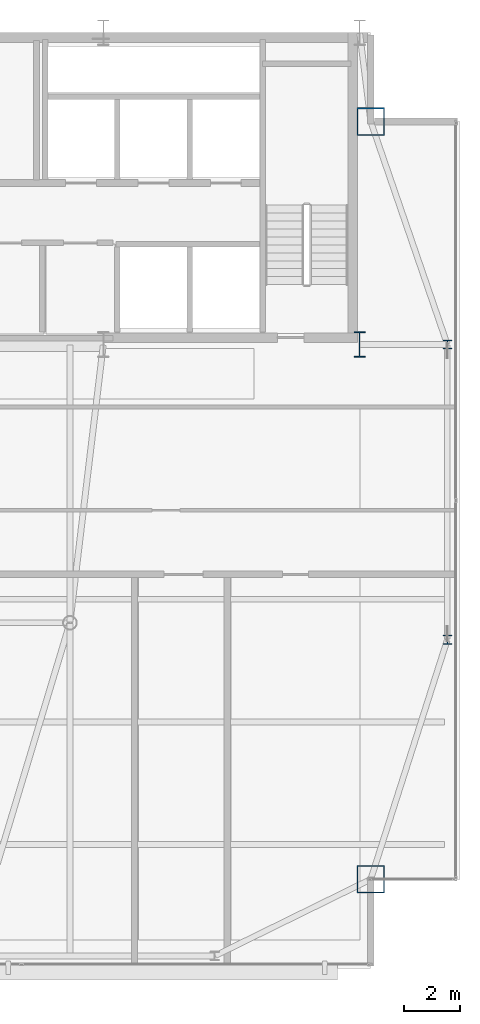
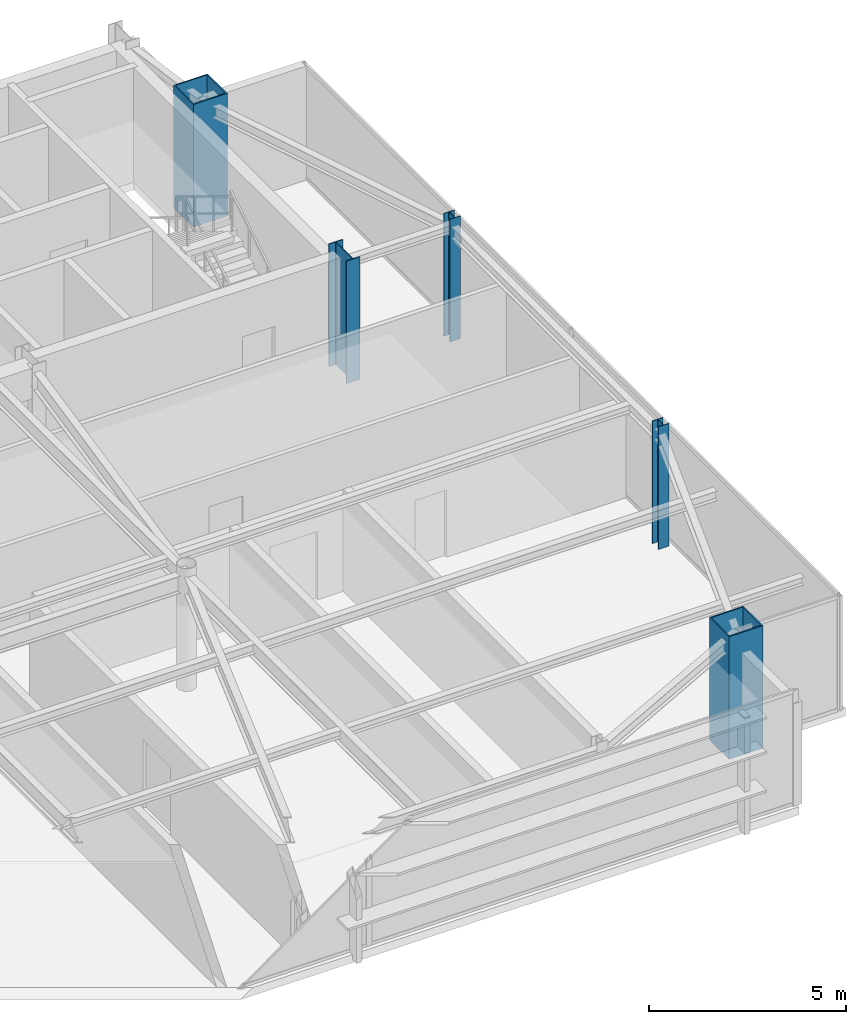
# One storey, part 2 of 24: 5 columns.
"""IFC4 building model written with IfcOpenShell, lengths in metres."""

from ifc_helpers import new_model, si_unit, direction, frame, origin, origin_2d, place, context, subcontext, project, spatial, hollow_rectangle, i_section, extrude, source, transform, mapped, material, material_profile, profile_set, type_object, type_shapes, element, save


model = new_model("IFC4")

# Units and contexts
model_context = context("Model", 3, precision=1e-05, world=origin(), true_north=direction((0.0, 1.0)))
body_context = subcontext(model_context, "Body", "Model", "MODEL_VIEW")
ifc_project = project(units=[si_unit("LENGTHUNIT", "METRE"), si_unit("AREAUNIT", "SQUARE_METRE"), si_unit("VOLUMEUNIT", "CUBIC_METRE"), si_unit("PLANEANGLEUNIT", "RADIAN"), si_unit("MASSUNIT", "GRAM", prefix="KILO")], contexts=[model_context])

# Site, building, storey
site_placement = place(None, origin())
site = spatial("IfcSite", under=ifc_project, at=site_placement, CompositionType="ELEMENT")
building_placement = place(site_placement, origin())
building = spatial("IfcBuilding", under=site, at=building_placement, Name="Varnel Quay Broadcast Tower", CompositionType="ELEMENT")
storey_placement = place(building_placement, frame((0.0, 0.0, 285.0)))
storey = spatial("IfcBuildingStorey", under=building, at=storey_placement, Name="L71", CompositionType="ELEMENT", Elevation=285.0)

# Columns
ifc_material_1 = material(Name="Structural Steel CSA G40.21 350WT", Category="steel")
ifc_material_profile_1 = material_profile(ifc_material_1, i_section(OverallWidth=0.39990234375, OverallDepth=0.89990234375, WebThickness=0.01611328125, FlangeThickness=0.028076171875, FilletRadius=0.01611328125, at=origin_2d()), Name="WWF900X309")
ifc_profile_set_1 = profile_set([ifc_material_profile_1], Name="Structural Steel CSA G40.21 350WT")
column_type_1 = type_object("IfcColumnType", Name="Col_WWF900X309", PredefinedType="COLUMN", material=ifc_profile_set_1)
shared_shape_1 = source(origin(), body_context, "Body", "SweptSolid", [
    extrude(i_section(OverallWidth=0.39990234375, OverallDepth=0.89990234375, WebThickness=0.01611328125, FlangeThickness=0.028076171875, FilletRadius=0.01611328125, at=origin_2d()), origin(), (0.0, 0.0, 1.0), 3.800048828125),
])
type_shapes(column_type_1, [shared_shape_1])
column_placement = place(storey_placement, frame((52.39990234375, 35.60009765625, 0.0), z_axis=(0.0, 0.0, 1.0), x_axis=(1.0, 0.0, 0.0)))
element("IfcColumn", 1, at=column_placement, inside=storey, type_object=column_type_1, Name="L71 Column CC-S5", PredefinedType="COLUMN", context=body_context, shape_type="MappedRepresentation", body=[
    mapped(shared_shape_1, transform((0.0, 0.0, 0.0), x_axis=(1.0, 0.0, 0.0), y_axis=(0.0, 1.0, 0.0), z_axis=(0.0, 0.0, 1.0), scale=1.0)),
])
ifc_material_profile_2 = material_profile(ifc_material_1, hollow_rectangle(XDim=1.0, YDim=1.0, WallThickness=0.0400390625, at=origin_2d()), Name="BOX1000X1000X40")
ifc_profile_set_2 = profile_set([ifc_material_profile_2], Name="Structural Steel CSA G40.21 350WT")
column_type_2 = type_object("IfcColumnType", Name="Col_BOX1000X1000X40", PredefinedType="COLUMN", material=ifc_profile_set_2)
shared_shape_2 = source(origin(), body_context, "Body", "SweptSolid", [
    extrude(hollow_rectangle(XDim=1.0, YDim=1.0, WallThickness=0.0400390625, at=origin_2d()), origin(), (0.0, 0.0, 1.0), 3.800048828125),
])
type_shapes(column_type_2, [shared_shape_2])
for number, where, z_axis, x_axis, name in (
    (2, (52.800048828125, 16.39990234375, 0.0), (0.0, 0.0, 1.0), (1.0, 0.0, 0.0), "L71 Column MC-SE"),
    (3, (52.800048828125, 43.60009765625, 0.0), (0.0, 0.0, 1.0), (1.0, 0.0, 0.0), "L71 Column MC-NE"),
):
    element("IfcColumn", number, at=place(storey_placement, frame(where, z_axis=z_axis, x_axis=x_axis)), inside=storey, type_object=column_type_2, Name=name, PredefinedType="COLUMN", context=body_context, shape_type="MappedRepresentation", body=[
        mapped(shared_shape_2, transform((0.0, 0.0, 0.0), x_axis=(1.0, 0.0, 0.0), y_axis=(0.0, 1.0, 0.0), z_axis=(0.0, 0.0, 1.0), scale=1.0)),
    ])
ifc_material_2 = material(Name="Structural Steel CSA G40.21 350W", Category="steel")
ifc_material_profile_3 = material_profile(ifc_material_2, i_section(OverallWidth=0.30908203125, OverallDepth=0.322998046875, WebThickness=0.013916015625, FlangeThickness=0.02294921875, FilletRadius=0.014892578125, at=origin_2d()), Name="W310X143")
ifc_profile_set_3 = profile_set([ifc_material_profile_3], Name="Structural Steel CSA G40.21 350W")
column_type_3 = type_object("IfcColumnType", Name="Col_W310X143", PredefinedType="COLUMN", material=ifc_profile_set_3)
shared_shape_3 = source(origin(), body_context, "Body", "SweptSolid", [
    extrude(i_section(OverallWidth=0.30908203125, OverallDepth=0.322998046875, WebThickness=0.013916015625, FlangeThickness=0.02294921875, FilletRadius=0.014892578125, at=origin_2d()), origin(), (0.0, 0.0, 1.0), 3.800048828125),
])
type_shapes(column_type_3, [shared_shape_3])
for number, where, z_axis, x_axis, name in (
    (4, (55.550048828125, 25.0, 0.0), (0.0, 0.0, 1.0), (1.0, 0.0, 0.0), "L71 Column TC-E1"),
    (5, (55.550048828125, 35.60009765625, 0.0), (0.0, 0.0, 1.0), (1.0, 0.0, 0.0), "L71 Column TC-E2"),
):
    element("IfcColumn", number, at=place(storey_placement, frame(where, z_axis=z_axis, x_axis=x_axis)), inside=storey, type_object=column_type_3, Name=name, PredefinedType="COLUMN", context=body_context, shape_type="MappedRepresentation", body=[
        mapped(shared_shape_3, transform((0.0, 0.0, 0.0), x_axis=(1.0, 0.0, 0.0), y_axis=(0.0, 1.0, 0.0), z_axis=(0.0, 0.0, 1.0), scale=1.0)),
    ])

save(model, "model.ifc")
